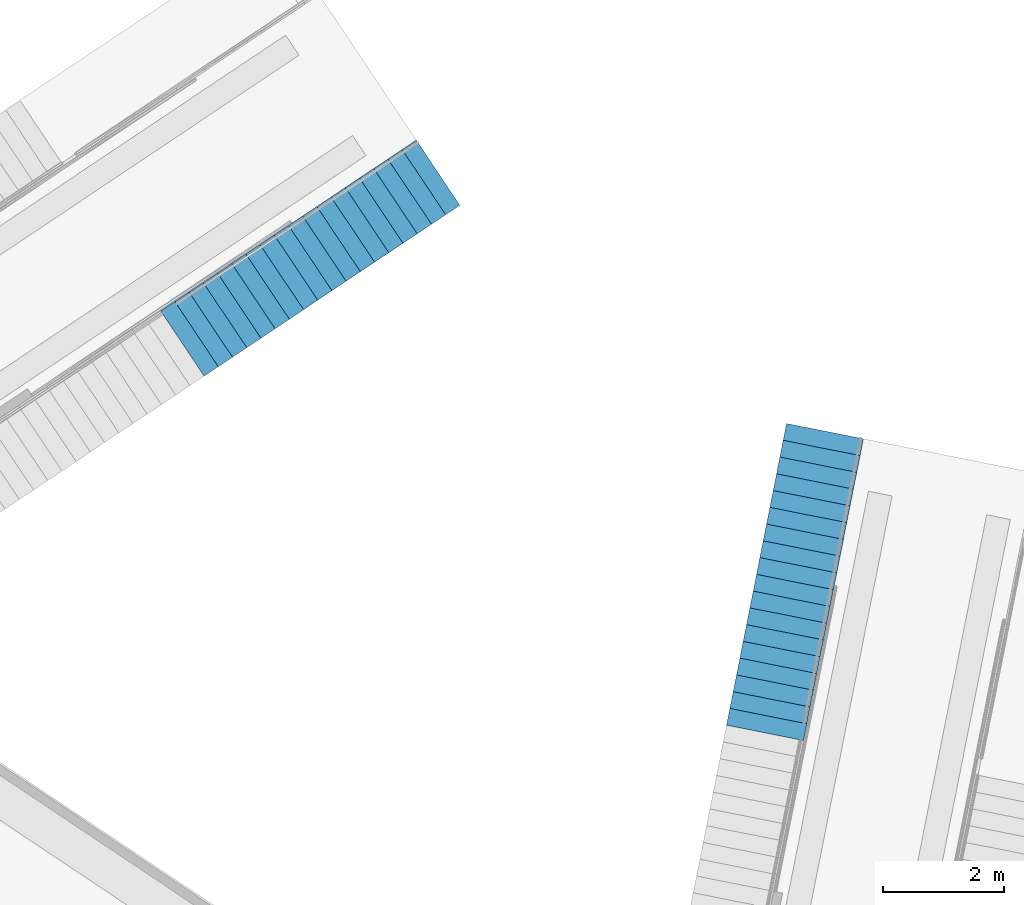
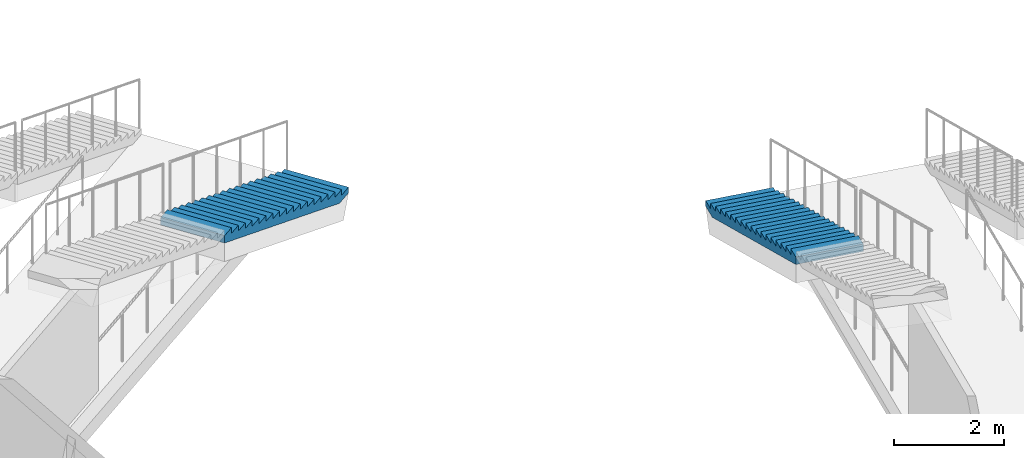
# One storey, part 58 of 175: 2 stair flights, 2 elements without a shape of their own.
"""IFC4 building model written with IfcOpenShell, lengths in metres."""

from ifc_helpers import new_model, si_unit, direction, frame, origin, place, context, subcontext, project, spatial, faceted_brep, material, type_object, element, aggregate, save


model = new_model("IFC4")

# Units and contexts
model_context = context("Model", 3, precision=1e-05, world=origin(), true_north=direction((0.0, 1.0)))
body_context = subcontext(model_context, "Body", "Model", "MODEL_VIEW")
ifc_project = project(units=[si_unit("LENGTHUNIT", "METRE"), si_unit("AREAUNIT", "SQUARE_METRE"), si_unit("VOLUMEUNIT", "CUBIC_METRE"), si_unit("PLANEANGLEUNIT", "RADIAN"), si_unit("MASSUNIT", "GRAM", prefix="KILO")], contexts=[model_context])

# Site, building, storey
site_placement = place(None, origin())
site = spatial("IfcSite", under=ifc_project, at=site_placement, CompositionType="ELEMENT")
building_placement = place(site_placement, origin())
building = spatial("IfcBuilding", under=site, at=building_placement, Name="Ogive Plaza Stadium", CompositionType="ELEMENT")
storey_placement = place(building_placement, origin())
storey = spatial("IfcBuildingStorey", under=building, at=storey_placement, Name="L00", CompositionType="ELEMENT", Elevation=0.0)

# Stair, stair flight
ifc_material_1 = material(Name="Concrete C40/50", Category="concrete")
stair_type = type_object("IfcStairType", Name="Aisle stair", PredefinedType="STRAIGHT_RUN_STAIR", material=ifc_material_1)
stair_1_placement = place(storey_placement, origin())
stair_1 = element("IfcStair", 1, at=stair_1_placement, inside=storey, type_object=stair_type, Name="Aisle stair SA17L", PredefinedType="STRAIGHT_RUN_STAIR")
ifc_material_2 = material(Name="Concrete C40/50", Category="concrete")
stair_flight_type = type_object("IfcStairFlightType", Name="Aisle stair flight", PredefinedType="STRAIGHT", material=ifc_material_2)
stair_flight_1_placement = place(storey_placement, frame((-39.015380859375, -66.94921875, 0.0), z_axis=(0.0, 0.0, 1.0), x_axis=(-0.195090322016, -0.980785280403, 0.0)))
stair_flight_1 = element("IfcStairFlight", 2, at=stair_flight_1_placement, type_object=stair_flight_type, Name="SA17L flight 1", NumberOfRisers=18, NumberOfTreads=17, PredefinedType="STRAIGHT", RiserHeight=0.125, TreadLength=0.283333333, context=body_context, shape_type="Brep", body=[
    faceted_brep([(0.371337890625, -0.64990234375, 0.0), (5.10009765625, -0.64990234375, 2.086181640625), (5.10009765625, -0.64990234375, 2.25), (4.816650390625, -0.64990234375, 2.25), (4.816650390625, -0.64990234375, 2.125), (4.533447265625, -0.64990234375, 2.125), (4.533447265625, -0.64990234375, 2.0), (4.25, -0.64990234375, 2.0), (4.25, -0.64990234375, 1.875), (3.966552734375, -0.64990234375, 1.875), (3.966552734375, -0.64990234375, 1.75), (3.683349609375, -0.64990234375, 1.75), (3.683349609375, -0.64990234375, 1.625), (3.39990234375, -0.64990234375, 1.625), (3.39990234375, -0.64990234375, 1.5), (3.11669921875, -0.64990234375, 1.5), (3.11669921875, -0.64990234375, 1.375), (2.833251953125, -0.64990234375, 1.375), (2.833251953125, -0.64990234375, 1.25), (2.550048828125, -0.64990234375, 1.25), (2.550048828125, -0.64990234375, 1.125), (2.2666015625, -0.64990234375, 1.125), (2.2666015625, -0.64990234375, 1.0), (1.9833984375, -0.64990234375, 1.0), (1.9833984375, -0.64990234375, 0.875), (1.699951171875, -0.64990234375, 0.875), (1.699951171875, -0.64990234375, 0.75), (1.416748046875, -0.64990234375, 0.75), (1.416748046875, -0.64990234375, 0.625), (1.13330078125, -0.64990234375, 0.625), (1.13330078125, -0.64990234375, 0.5), (0.85009765625, -0.64990234375, 0.5), (0.85009765625, -0.64990234375, 0.375), (0.566650390625, -0.64990234375, 0.375), (0.566650390625, -0.64990234375, 0.25), (0.283447265625, -0.64990234375, 0.25), (0.283447265625, -0.64990234375, 0.125), (0.0, -0.64990234375, 0.125), (0.0, -0.64990234375, 0.0), (0.0, 0.64990234375, 0.0), (0.0, 0.64990234375, 0.125), (0.283447265625, 0.64990234375, 0.125), (0.283447265625, 0.64990234375, 0.25), (0.566650390625, 0.64990234375, 0.25), (0.566650390625, 0.64990234375, 0.375), (0.85009765625, 0.64990234375, 0.375), (0.85009765625, 0.64990234375, 0.5), (1.13330078125, 0.64990234375, 0.5), (1.13330078125, 0.64990234375, 0.625), (1.416748046875, 0.64990234375, 0.625), (1.416748046875, 0.64990234375, 0.75), (1.699951171875, 0.64990234375, 0.75), (1.699951171875, 0.64990234375, 0.875), (1.9833984375, 0.64990234375, 0.875), (1.9833984375, 0.64990234375, 1.0), (2.2666015625, 0.64990234375, 1.0), (2.2666015625, 0.64990234375, 1.125), (2.550048828125, 0.64990234375, 1.125), (2.550048828125, 0.64990234375, 1.25), (2.833251953125, 0.64990234375, 1.25), (2.833251953125, 0.64990234375, 1.375), (3.11669921875, 0.64990234375, 1.375), (3.11669921875, 0.64990234375, 1.5), (3.39990234375, 0.64990234375, 1.5), (3.39990234375, 0.64990234375, 1.625), (3.683349609375, 0.64990234375, 1.625), (3.683349609375, 0.64990234375, 1.75), (3.966552734375, 0.64990234375, 1.75), (3.966552734375, 0.64990234375, 1.875), (4.25, 0.64990234375, 1.875), (4.25, 0.64990234375, 2.0), (4.533447265625, 0.64990234375, 2.0), (4.533447265625, 0.64990234375, 2.125), (4.816650390625, 0.64990234375, 2.125), (4.816650390625, 0.64990234375, 2.25), (5.10009765625, 0.64990234375, 2.25), (5.10009765625, 0.64990234375, 2.086181640625), (0.371337890625, 0.64990234375, 0.0), (0.371337890625, -0.324951171875, 0.0), (5.10009765625, -0.324951171875, 2.086181640625), (0.371337890625, 0.0, 0.0), (5.10009765625, 0.0, 2.086181640625), (0.371337890625, 0.324951171875, 0.0), (5.10009765625, 0.324951171875, 2.086181640625), (5.10009765625, -0.324951171875, 2.25), (5.10009765625, 0.0, 2.25), (5.10009765625, 0.324951171875, 2.25), (4.816650390625, -0.324951171875, 2.25), (4.816650390625, 0.0, 2.25), (4.816650390625, 0.324951171875, 2.25), (4.816650390625, -0.324951171875, 2.125), (4.816650390625, 0.0, 2.125), (4.816650390625, 0.324951171875, 2.125), (4.533447265625, -0.324951171875, 2.125), (4.533447265625, 0.0, 2.125), (4.533447265625, 0.324951171875, 2.125), (4.533447265625, -0.324951171875, 2.0), (4.533447265625, 0.0, 2.0), (4.533447265625, 0.324951171875, 2.0), (4.25, -0.324951171875, 2.0), (4.25, 0.0, 2.0), (4.25, 0.324951171875, 2.0), (4.25, -0.324951171875, 1.875), (4.25, 0.0, 1.875), (4.25, 0.324951171875, 1.875), (3.966552734375, -0.324951171875, 1.875), (3.966552734375, 0.0, 1.875), (3.966552734375, 0.324951171875, 1.875), (3.966552734375, -0.324951171875, 1.75), (3.966552734375, 0.0, 1.75), (3.966552734375, 0.324951171875, 1.75), (3.683349609375, -0.324951171875, 1.75), (3.683349609375, 0.0, 1.75), (3.683349609375, 0.324951171875, 1.75), (3.683349609375, -0.324951171875, 1.625), (3.683349609375, 0.0, 1.625), (3.683349609375, 0.324951171875, 1.625), (3.39990234375, -0.324951171875, 1.625), (3.39990234375, 0.0, 1.625), (3.39990234375, 0.324951171875, 1.625), (3.39990234375, -0.324951171875, 1.5), (3.39990234375, 0.0, 1.5), (3.39990234375, 0.324951171875, 1.5), (3.11669921875, -0.324951171875, 1.5), (3.11669921875, 0.0, 1.5), (3.11669921875, 0.324951171875, 1.5), (3.11669921875, -0.324951171875, 1.375), (3.11669921875, 0.0, 1.375), (3.11669921875, 0.324951171875, 1.375), (2.833251953125, -0.324951171875, 1.375), (2.833251953125, 0.0, 1.375), (2.833251953125, 0.324951171875, 1.375), (2.833251953125, -0.324951171875, 1.25), (2.833251953125, 0.0, 1.25), (2.833251953125, 0.324951171875, 1.25), (2.550048828125, -0.324951171875, 1.25), (2.550048828125, 0.0, 1.25), (2.550048828125, 0.324951171875, 1.25), (2.550048828125, -0.324951171875, 1.125), (2.550048828125, 0.0, 1.125), (2.550048828125, 0.324951171875, 1.125), (2.2666015625, -0.324951171875, 1.125), (2.2666015625, 0.0, 1.125), (2.2666015625, 0.324951171875, 1.125), (2.2666015625, -0.324951171875, 1.0), (2.2666015625, 0.0, 1.0), (2.2666015625, 0.324951171875, 1.0), (1.9833984375, -0.324951171875, 1.0), (1.9833984375, 0.0, 1.0), (1.9833984375, 0.324951171875, 1.0), (1.9833984375, -0.324951171875, 0.875), (1.9833984375, 0.0, 0.875), (1.9833984375, 0.324951171875, 0.875), (1.699951171875, -0.324951171875, 0.875), (1.699951171875, 0.0, 0.875), (1.699951171875, 0.324951171875, 0.875), (1.699951171875, -0.324951171875, 0.75), (1.699951171875, 0.0, 0.75), (1.699951171875, 0.324951171875, 0.75), (1.416748046875, -0.324951171875, 0.75), (1.416748046875, 0.0, 0.75), (1.416748046875, 0.324951171875, 0.75), (1.416748046875, -0.324951171875, 0.625), (1.416748046875, 0.0, 0.625), (1.416748046875, 0.324951171875, 0.625), (1.13330078125, -0.324951171875, 0.625), (1.13330078125, 0.0, 0.625), (1.13330078125, 0.324951171875, 0.625), (1.13330078125, -0.324951171875, 0.5), (1.13330078125, 0.0, 0.5), (1.13330078125, 0.324951171875, 0.5), (0.85009765625, -0.324951171875, 0.5), (0.85009765625, 0.0, 0.5), (0.85009765625, 0.324951171875, 0.5), (0.85009765625, -0.324951171875, 0.375), (0.85009765625, 0.0, 0.375), (0.85009765625, 0.324951171875, 0.375), (0.566650390625, -0.324951171875, 0.375), (0.566650390625, 0.0, 0.375), (0.566650390625, 0.324951171875, 0.375), (0.566650390625, -0.324951171875, 0.25), (0.566650390625, 0.0, 0.25), (0.566650390625, 0.324951171875, 0.25), (0.283447265625, -0.324951171875, 0.25), (0.283447265625, 0.0, 0.25), (0.283447265625, 0.324951171875, 0.25), (0.283447265625, -0.324951171875, 0.125), (0.283447265625, 0.0, 0.125), (0.283447265625, 0.324951171875, 0.125), (0.0, -0.324951171875, 0.125), (0.0, 0.0, 0.125), (0.0, 0.324951171875, 0.125), (0.0, -0.324951171875, 0.0), (0.0, 0.0, 0.0), (0.0, 0.324951171875, 0.0)], [[[0, 1, 2, 3, 4, 5, 6, 7, 8, 9, 10, 11, 12, 13, 14, 15, 16, 17, 18, 19, 20, 21, 22, 23, 24, 25, 26, 27, 28, 29, 30, 31, 32, 33, 34, 35, 36, 37, 38]], [[39, 40, 41, 42, 43, 44, 45, 46, 47, 48, 49, 50, 51, 52, 53, 54, 55, 56, 57, 58, 59, 60, 61, 62, 63, 64, 65, 66, 67, 68, 69, 70, 71, 72, 73, 74, 75, 76, 77]], [[0, 78, 79, 1]], [[78, 80, 81, 79]], [[80, 82, 83, 81]], [[82, 77, 76, 83]], [[1, 79, 84, 2]], [[79, 81, 85, 84]], [[81, 83, 86, 85]], [[83, 76, 75, 86]], [[2, 84, 87, 3]], [[84, 85, 88, 87]], [[85, 86, 89, 88]], [[86, 75, 74, 89]], [[3, 87, 90, 4]], [[87, 88, 91, 90]], [[88, 89, 92, 91]], [[89, 74, 73, 92]], [[4, 90, 93, 5]], [[90, 91, 94, 93]], [[91, 92, 95, 94]], [[92, 73, 72, 95]], [[5, 93, 96, 6]], [[93, 94, 97, 96]], [[94, 95, 98, 97]], [[95, 72, 71, 98]], [[6, 96, 99, 7]], [[96, 97, 100, 99]], [[97, 98, 101, 100]], [[98, 71, 70, 101]], [[7, 99, 102, 8]], [[99, 100, 103, 102]], [[100, 101, 104, 103]], [[101, 70, 69, 104]], [[8, 102, 105, 9]], [[102, 103, 106, 105]], [[103, 104, 107, 106]], [[104, 69, 68, 107]], [[9, 105, 108, 10]], [[105, 106, 109, 108]], [[106, 107, 110, 109]], [[107, 68, 67, 110]], [[10, 108, 111, 11]], [[108, 109, 112, 111]], [[109, 110, 113, 112]], [[110, 67, 66, 113]], [[11, 111, 114, 12]], [[111, 112, 115, 114]], [[112, 113, 116, 115]], [[113, 66, 65, 116]], [[12, 114, 117, 13]], [[114, 115, 118, 117]], [[115, 116, 119, 118]], [[116, 65, 64, 119]], [[13, 117, 120, 14]], [[117, 118, 121, 120]], [[118, 119, 122, 121]], [[119, 64, 63, 122]], [[14, 120, 123, 15]], [[120, 121, 124, 123]], [[121, 122, 125, 124]], [[122, 63, 62, 125]], [[15, 123, 126, 16]], [[123, 124, 127, 126]], [[124, 125, 128, 127]], [[125, 62, 61, 128]], [[16, 126, 129, 17]], [[126, 127, 130, 129]], [[127, 128, 131, 130]], [[128, 61, 60, 131]], [[17, 129, 132, 18]], [[129, 130, 133, 132]], [[130, 131, 134, 133]], [[131, 60, 59, 134]], [[18, 132, 135, 19]], [[132, 133, 136, 135]], [[133, 134, 137, 136]], [[134, 59, 58, 137]], [[19, 135, 138, 20]], [[135, 136, 139, 138]], [[136, 137, 140, 139]], [[137, 58, 57, 140]], [[20, 138, 141, 21]], [[138, 139, 142, 141]], [[139, 140, 143, 142]], [[140, 57, 56, 143]], [[21, 141, 144, 22]], [[141, 142, 145, 144]], [[142, 143, 146, 145]], [[143, 56, 55, 146]], [[22, 144, 147, 23]], [[144, 145, 148, 147]], [[145, 146, 149, 148]], [[146, 55, 54, 149]], [[23, 147, 150, 24]], [[147, 148, 151, 150]], [[148, 149, 152, 151]], [[149, 54, 53, 152]], [[24, 150, 153, 25]], [[150, 151, 154, 153]], [[151, 152, 155, 154]], [[152, 53, 52, 155]], [[25, 153, 156, 26]], [[153, 154, 157, 156]], [[154, 155, 158, 157]], [[155, 52, 51, 158]], [[26, 156, 159, 27]], [[156, 157, 160, 159]], [[157, 158, 161, 160]], [[158, 51, 50, 161]], [[27, 159, 162, 28]], [[159, 160, 163, 162]], [[160, 161, 164, 163]], [[161, 50, 49, 164]], [[28, 162, 165, 29]], [[162, 163, 166, 165]], [[163, 164, 167, 166]], [[164, 49, 48, 167]], [[29, 165, 168, 30]], [[165, 166, 169, 168]], [[166, 167, 170, 169]], [[167, 48, 47, 170]], [[30, 168, 171, 31]], [[168, 169, 172, 171]], [[169, 170, 173, 172]], [[170, 47, 46, 173]], [[31, 171, 174, 32]], [[171, 172, 175, 174]], [[172, 173, 176, 175]], [[173, 46, 45, 176]], [[32, 174, 177, 33]], [[174, 175, 178, 177]], [[175, 176, 179, 178]], [[176, 45, 44, 179]], [[33, 177, 180, 34]], [[177, 178, 181, 180]], [[178, 179, 182, 181]], [[179, 44, 43, 182]], [[34, 180, 183, 35]], [[180, 181, 184, 183]], [[181, 182, 185, 184]], [[182, 43, 42, 185]], [[35, 183, 186, 36]], [[183, 184, 187, 186]], [[184, 185, 188, 187]], [[185, 42, 41, 188]], [[36, 186, 189, 37]], [[186, 187, 190, 189]], [[187, 188, 191, 190]], [[188, 41, 40, 191]], [[37, 189, 192, 38]], [[189, 190, 193, 192]], [[190, 191, 194, 193]], [[191, 40, 39, 194]], [[38, 192, 78, 0]], [[192, 193, 80, 78]], [[193, 194, 82, 80]], [[194, 39, 77, 82]]]),
])
aggregate(stair_1, [stair_flight_1])

stair_2_placement = place(storey_placement, origin())
stair_2 = element("IfcStair", 3, at=stair_2_placement, inside=storey, type_object=stair_type, Name="Aisle stair SA19R", PredefinedType="STRAIGHT_RUN_STAIR")
stair_flight_2_placement = place(storey_placement, frame((-45.43017578125, -62.6630859375, 0.0), z_axis=(0.0, 0.0, 1.0), x_axis=(-0.831469612303, -0.55557023302, 0.0)))
stair_flight_2 = element("IfcStairFlight", 4, at=stair_flight_2_placement, type_object=stair_flight_type, Name="SA19R flight 1", NumberOfRisers=18, NumberOfTreads=17, PredefinedType="STRAIGHT", RiserHeight=0.125, TreadLength=0.283333333, context=body_context, shape_type="Brep", body=[
    faceted_brep([(0.371337890625, -0.64990234375, 0.0), (5.10009765625, -0.64990234375, 2.086181640625), (5.10009765625, -0.64990234375, 2.25), (4.816650390625, -0.64990234375, 2.25), (4.816650390625, -0.64990234375, 2.125), (4.533447265625, -0.64990234375, 2.125), (4.533447265625, -0.64990234375, 2.0), (4.25, -0.64990234375, 2.0), (4.25, -0.64990234375, 1.875), (3.966552734375, -0.64990234375, 1.875), (3.966552734375, -0.64990234375, 1.75), (3.683349609375, -0.64990234375, 1.75), (3.683349609375, -0.64990234375, 1.625), (3.39990234375, -0.64990234375, 1.625), (3.39990234375, -0.64990234375, 1.5), (3.11669921875, -0.64990234375, 1.5), (3.11669921875, -0.64990234375, 1.375), (2.833251953125, -0.64990234375, 1.375), (2.833251953125, -0.64990234375, 1.25), (2.550048828125, -0.64990234375, 1.25), (2.550048828125, -0.64990234375, 1.125), (2.2666015625, -0.64990234375, 1.125), (2.2666015625, -0.64990234375, 1.0), (1.9833984375, -0.64990234375, 1.0), (1.9833984375, -0.64990234375, 0.875), (1.699951171875, -0.64990234375, 0.875), (1.699951171875, -0.64990234375, 0.75), (1.416748046875, -0.64990234375, 0.75), (1.416748046875, -0.64990234375, 0.625), (1.13330078125, -0.64990234375, 0.625), (1.13330078125, -0.64990234375, 0.5), (0.85009765625, -0.64990234375, 0.5), (0.85009765625, -0.64990234375, 0.375), (0.566650390625, -0.64990234375, 0.375), (0.566650390625, -0.64990234375, 0.25), (0.283447265625, -0.64990234375, 0.25), (0.283447265625, -0.64990234375, 0.125), (0.0, -0.64990234375, 0.125), (0.0, -0.64990234375, 0.0), (0.0, 0.64990234375, 0.0), (0.0, 0.64990234375, 0.125), (0.283447265625, 0.64990234375, 0.125), (0.283447265625, 0.64990234375, 0.25), (0.566650390625, 0.64990234375, 0.25), (0.566650390625, 0.64990234375, 0.375), (0.85009765625, 0.64990234375, 0.375), (0.85009765625, 0.64990234375, 0.5), (1.13330078125, 0.64990234375, 0.5), (1.13330078125, 0.64990234375, 0.625), (1.416748046875, 0.64990234375, 0.625), (1.416748046875, 0.64990234375, 0.75), (1.699951171875, 0.64990234375, 0.75), (1.699951171875, 0.64990234375, 0.875), (1.9833984375, 0.64990234375, 0.875), (1.9833984375, 0.64990234375, 1.0), (2.2666015625, 0.64990234375, 1.0), (2.2666015625, 0.64990234375, 1.125), (2.550048828125, 0.64990234375, 1.125), (2.550048828125, 0.64990234375, 1.25), (2.833251953125, 0.64990234375, 1.25), (2.833251953125, 0.64990234375, 1.375), (3.11669921875, 0.64990234375, 1.375), (3.11669921875, 0.64990234375, 1.5), (3.39990234375, 0.64990234375, 1.5), (3.39990234375, 0.64990234375, 1.625), (3.683349609375, 0.64990234375, 1.625), (3.683349609375, 0.64990234375, 1.75), (3.966552734375, 0.64990234375, 1.75), (3.966552734375, 0.64990234375, 1.875), (4.25, 0.64990234375, 1.875), (4.25, 0.64990234375, 2.0), (4.533447265625, 0.64990234375, 2.0), (4.533447265625, 0.64990234375, 2.125), (4.816650390625, 0.64990234375, 2.125), (4.816650390625, 0.64990234375, 2.25), (5.10009765625, 0.64990234375, 2.25), (5.10009765625, 0.64990234375, 2.086181640625), (0.371337890625, 0.64990234375, 0.0), (0.371337890625, -0.324951171875, 0.0), (5.10009765625, -0.324951171875, 2.086181640625), (0.371337890625, 0.0, 0.0), (5.10009765625, 0.0, 2.086181640625), (0.371337890625, 0.324951171875, 0.0), (5.10009765625, 0.324951171875, 2.086181640625), (5.10009765625, -0.324951171875, 2.25), (5.10009765625, 0.0, 2.25), (5.10009765625, 0.324951171875, 2.25), (4.816650390625, -0.324951171875, 2.25), (4.816650390625, 0.0, 2.25), (4.816650390625, 0.324951171875, 2.25), (4.816650390625, -0.324951171875, 2.125), (4.816650390625, 0.0, 2.125), (4.816650390625, 0.324951171875, 2.125), (4.533447265625, -0.324951171875, 2.125), (4.533447265625, 0.0, 2.125), (4.533447265625, 0.324951171875, 2.125), (4.533447265625, -0.324951171875, 2.0), (4.533447265625, 0.0, 2.0), (4.533447265625, 0.324951171875, 2.0), (4.25, -0.324951171875, 2.0), (4.25, 0.0, 2.0), (4.25, 0.324951171875, 2.0), (4.25, -0.324951171875, 1.875), (4.25, 0.0, 1.875), (4.25, 0.324951171875, 1.875), (3.966552734375, -0.324951171875, 1.875), (3.966552734375, 0.0, 1.875), (3.966552734375, 0.324951171875, 1.875), (3.966552734375, -0.324951171875, 1.75), (3.966552734375, 0.0, 1.75), (3.966552734375, 0.324951171875, 1.75), (3.683349609375, -0.324951171875, 1.75), (3.683349609375, 0.0, 1.75), (3.683349609375, 0.324951171875, 1.75), (3.683349609375, -0.324951171875, 1.625), (3.683349609375, 0.0, 1.625), (3.683349609375, 0.324951171875, 1.625), (3.39990234375, -0.324951171875, 1.625), (3.39990234375, 0.0, 1.625), (3.39990234375, 0.324951171875, 1.625), (3.39990234375, -0.324951171875, 1.5), (3.39990234375, 0.0, 1.5), (3.39990234375, 0.324951171875, 1.5), (3.11669921875, -0.324951171875, 1.5), (3.11669921875, 0.0, 1.5), (3.11669921875, 0.324951171875, 1.5), (3.11669921875, -0.324951171875, 1.375), (3.11669921875, 0.0, 1.375), (3.11669921875, 0.324951171875, 1.375), (2.833251953125, -0.324951171875, 1.375), (2.833251953125, 0.0, 1.375), (2.833251953125, 0.324951171875, 1.375), (2.833251953125, -0.324951171875, 1.25), (2.833251953125, 0.0, 1.25), (2.833251953125, 0.324951171875, 1.25), (2.550048828125, -0.324951171875, 1.25), (2.550048828125, 0.0, 1.25), (2.550048828125, 0.324951171875, 1.25), (2.550048828125, -0.324951171875, 1.125), (2.550048828125, 0.0, 1.125), (2.550048828125, 0.324951171875, 1.125), (2.2666015625, -0.324951171875, 1.125), (2.2666015625, 0.0, 1.125), (2.2666015625, 0.324951171875, 1.125), (2.2666015625, -0.324951171875, 1.0), (2.2666015625, 0.0, 1.0), (2.2666015625, 0.324951171875, 1.0), (1.9833984375, -0.324951171875, 1.0), (1.9833984375, 0.0, 1.0), (1.9833984375, 0.324951171875, 1.0), (1.9833984375, -0.324951171875, 0.875), (1.9833984375, 0.0, 0.875), (1.9833984375, 0.324951171875, 0.875), (1.699951171875, -0.324951171875, 0.875), (1.699951171875, 0.0, 0.875), (1.699951171875, 0.324951171875, 0.875), (1.699951171875, -0.324951171875, 0.75), (1.699951171875, 0.0, 0.75), (1.699951171875, 0.324951171875, 0.75), (1.416748046875, -0.324951171875, 0.75), (1.416748046875, 0.0, 0.75), (1.416748046875, 0.324951171875, 0.75), (1.416748046875, -0.324951171875, 0.625), (1.416748046875, 0.0, 0.625), (1.416748046875, 0.324951171875, 0.625), (1.13330078125, -0.324951171875, 0.625), (1.13330078125, 0.0, 0.625), (1.13330078125, 0.324951171875, 0.625), (1.13330078125, -0.324951171875, 0.5), (1.13330078125, 0.0, 0.5), (1.13330078125, 0.324951171875, 0.5), (0.85009765625, -0.324951171875, 0.5), (0.85009765625, 0.0, 0.5), (0.85009765625, 0.324951171875, 0.5), (0.85009765625, -0.324951171875, 0.375), (0.85009765625, 0.0, 0.375), (0.85009765625, 0.324951171875, 0.375), (0.566650390625, -0.324951171875, 0.375), (0.566650390625, 0.0, 0.375), (0.566650390625, 0.324951171875, 0.375), (0.566650390625, -0.324951171875, 0.25), (0.566650390625, 0.0, 0.25), (0.566650390625, 0.324951171875, 0.25), (0.283447265625, -0.324951171875, 0.25), (0.283447265625, 0.0, 0.25), (0.283447265625, 0.324951171875, 0.25), (0.283447265625, -0.324951171875, 0.125), (0.283447265625, 0.0, 0.125), (0.283447265625, 0.324951171875, 0.125), (0.0, -0.324951171875, 0.125), (0.0, 0.0, 0.125), (0.0, 0.324951171875, 0.125), (0.0, -0.324951171875, 0.0), (0.0, 0.0, 0.0), (0.0, 0.324951171875, 0.0)], [[[0, 1, 2, 3, 4, 5, 6, 7, 8, 9, 10, 11, 12, 13, 14, 15, 16, 17, 18, 19, 20, 21, 22, 23, 24, 25, 26, 27, 28, 29, 30, 31, 32, 33, 34, 35, 36, 37, 38]], [[39, 40, 41, 42, 43, 44, 45, 46, 47, 48, 49, 50, 51, 52, 53, 54, 55, 56, 57, 58, 59, 60, 61, 62, 63, 64, 65, 66, 67, 68, 69, 70, 71, 72, 73, 74, 75, 76, 77]], [[0, 78, 79, 1]], [[78, 80, 81, 79]], [[80, 82, 83, 81]], [[82, 77, 76, 83]], [[1, 79, 84, 2]], [[79, 81, 85, 84]], [[81, 83, 86, 85]], [[83, 76, 75, 86]], [[2, 84, 87, 3]], [[84, 85, 88, 87]], [[85, 86, 89, 88]], [[86, 75, 74, 89]], [[3, 87, 90, 4]], [[87, 88, 91, 90]], [[88, 89, 92, 91]], [[89, 74, 73, 92]], [[4, 90, 93, 5]], [[90, 91, 94, 93]], [[91, 92, 95, 94]], [[92, 73, 72, 95]], [[5, 93, 96, 6]], [[93, 94, 97, 96]], [[94, 95, 98, 97]], [[95, 72, 71, 98]], [[6, 96, 99, 7]], [[96, 97, 100, 99]], [[97, 98, 101, 100]], [[98, 71, 70, 101]], [[7, 99, 102, 8]], [[99, 100, 103, 102]], [[100, 101, 104, 103]], [[101, 70, 69, 104]], [[8, 102, 105, 9]], [[102, 103, 106, 105]], [[103, 104, 107, 106]], [[104, 69, 68, 107]], [[9, 105, 108, 10]], [[105, 106, 109, 108]], [[106, 107, 110, 109]], [[107, 68, 67, 110]], [[10, 108, 111, 11]], [[108, 109, 112, 111]], [[109, 110, 113, 112]], [[110, 67, 66, 113]], [[11, 111, 114, 12]], [[111, 112, 115, 114]], [[112, 113, 116, 115]], [[113, 66, 65, 116]], [[12, 114, 117, 13]], [[114, 115, 118, 117]], [[115, 116, 119, 118]], [[116, 65, 64, 119]], [[13, 117, 120, 14]], [[117, 118, 121, 120]], [[118, 119, 122, 121]], [[119, 64, 63, 122]], [[14, 120, 123, 15]], [[120, 121, 124, 123]], [[121, 122, 125, 124]], [[122, 63, 62, 125]], [[15, 123, 126, 16]], [[123, 124, 127, 126]], [[124, 125, 128, 127]], [[125, 62, 61, 128]], [[16, 126, 129, 17]], [[126, 127, 130, 129]], [[127, 128, 131, 130]], [[128, 61, 60, 131]], [[17, 129, 132, 18]], [[129, 130, 133, 132]], [[130, 131, 134, 133]], [[131, 60, 59, 134]], [[18, 132, 135, 19]], [[132, 133, 136, 135]], [[133, 134, 137, 136]], [[134, 59, 58, 137]], [[19, 135, 138, 20]], [[135, 136, 139, 138]], [[136, 137, 140, 139]], [[137, 58, 57, 140]], [[20, 138, 141, 21]], [[138, 139, 142, 141]], [[139, 140, 143, 142]], [[140, 57, 56, 143]], [[21, 141, 144, 22]], [[141, 142, 145, 144]], [[142, 143, 146, 145]], [[143, 56, 55, 146]], [[22, 144, 147, 23]], [[144, 145, 148, 147]], [[145, 146, 149, 148]], [[146, 55, 54, 149]], [[23, 147, 150, 24]], [[147, 148, 151, 150]], [[148, 149, 152, 151]], [[149, 54, 53, 152]], [[24, 150, 153, 25]], [[150, 151, 154, 153]], [[151, 152, 155, 154]], [[152, 53, 52, 155]], [[25, 153, 156, 26]], [[153, 154, 157, 156]], [[154, 155, 158, 157]], [[155, 52, 51, 158]], [[26, 156, 159, 27]], [[156, 157, 160, 159]], [[157, 158, 161, 160]], [[158, 51, 50, 161]], [[27, 159, 162, 28]], [[159, 160, 163, 162]], [[160, 161, 164, 163]], [[161, 50, 49, 164]], [[28, 162, 165, 29]], [[162, 163, 166, 165]], [[163, 164, 167, 166]], [[164, 49, 48, 167]], [[29, 165, 168, 30]], [[165, 166, 169, 168]], [[166, 167, 170, 169]], [[167, 48, 47, 170]], [[30, 168, 171, 31]], [[168, 169, 172, 171]], [[169, 170, 173, 172]], [[170, 47, 46, 173]], [[31, 171, 174, 32]], [[171, 172, 175, 174]], [[172, 173, 176, 175]], [[173, 46, 45, 176]], [[32, 174, 177, 33]], [[174, 175, 178, 177]], [[175, 176, 179, 178]], [[176, 45, 44, 179]], [[33, 177, 180, 34]], [[177, 178, 181, 180]], [[178, 179, 182, 181]], [[179, 44, 43, 182]], [[34, 180, 183, 35]], [[180, 181, 184, 183]], [[181, 182, 185, 184]], [[182, 43, 42, 185]], [[35, 183, 186, 36]], [[183, 184, 187, 186]], [[184, 185, 188, 187]], [[185, 42, 41, 188]], [[36, 186, 189, 37]], [[186, 187, 190, 189]], [[187, 188, 191, 190]], [[188, 41, 40, 191]], [[37, 189, 192, 38]], [[189, 190, 193, 192]], [[190, 191, 194, 193]], [[191, 40, 39, 194]], [[38, 192, 78, 0]], [[192, 193, 80, 78]], [[193, 194, 82, 80]], [[194, 39, 77, 82]]]),
])
aggregate(stair_2, [stair_flight_2])

save(model, "model.ifc")
